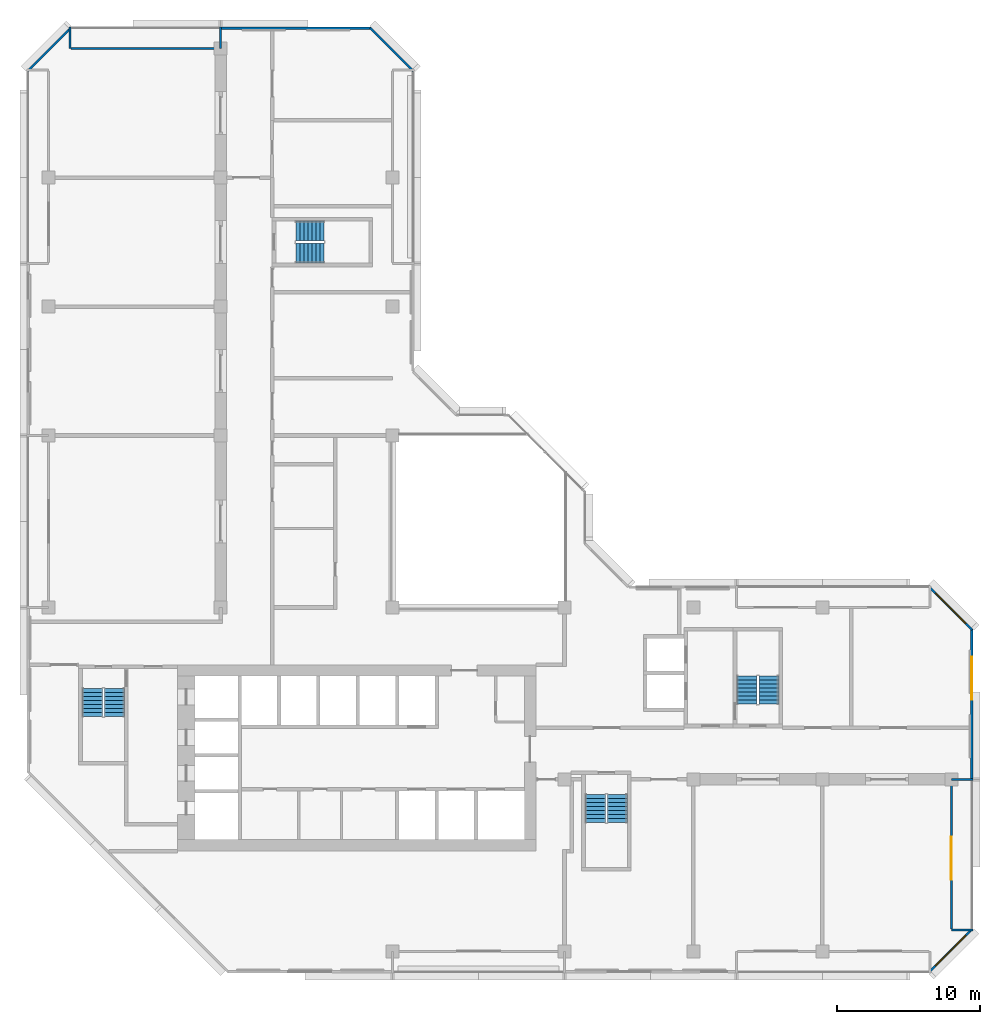
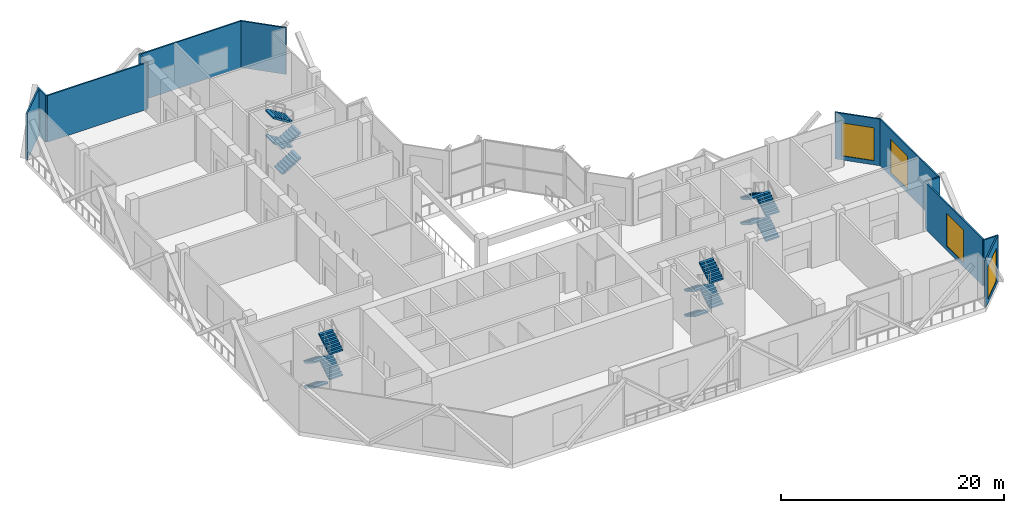
# One storey, part 8 of 11: 16 stair flights, 12 walls, 4 windows, 4 openings, 4 elements without a shape of their own.
"""IFC4 building model written with IfcOpenShell, lengths in metres."""

import ifcopenshell
import ifcopenshell.guid

model = None  # the IFC model being written
_history = None  # IfcOwnerHistory: only IFC2X3 demands one
_inside = {}  # id of a spatial element -> (the spatial element, [elements in it])
_under = {}  # id of a project, library or spatial element -> (it, [spatial elements below it])
_declared = {}  # id of a project -> (the project, [libraries it declares])
_typed = {}  # id of a type object -> (the type object, [elements of that type])
_made_of = {}  # id of a material, layer set ... -> (it, [elements and type objects made of it])


def new_model(schema):
    """Start an empty IFC model of exactly this schema.

    Asked for "IFC4X3", IfcOpenShell would pick the latest addendum, in which some entities
    have other attributes; the version numbers below select the first issue.
    IFC2X3 requires an IfcOwnerHistory on every rooted entity: one is made here for all.
    """
    global model, _history
    if schema == "IFC4X3":
        model = ifcopenshell.file(schema_version=(4, 3, 0, 0))
    else:
        model = ifcopenshell.file(schema=schema)
    _inside.clear()
    _under.clear()
    _declared.clear()
    _typed.clear()
    _made_of.clear()
    _history = None
    if model.schema == "IFC2X3":
        org = make("IfcOrganization", Name="unknown")
        user = make(
            "IfcPersonAndOrganization",
            ThePerson=make("IfcPerson", FamilyName="unknown"),
            TheOrganization=org,
        )
        app = make(
            "IfcApplication",
            ApplicationDeveloper=org,
            Version="unknown",
            ApplicationFullName="unknown",
            ApplicationIdentifier="unknown",
        )
        _history = make(
            "IfcOwnerHistory",
            OwningUser=user,
            OwningApplication=app,
            ChangeAction="ADDED",
            CreationDate=0,
        )
    return model


def make(cls, **values):
    """One entity of the class cls with the attributes given. An attribute that is None is left unset."""
    return model.create_entity(
        cls, **{name: value for name, value in values.items() if value is not None}
    )


def rooted(cls, **values):
    """An entity with a GlobalId (a new one), such as an element, a storey or a relation."""
    return make(cls, GlobalId=ifcopenshell.guid.new(), OwnerHistory=_history, **values)


def si_unit(unit_type, name, prefix=None):
    """IfcSIUnit, for example si_unit("LENGTHUNIT", "METRE", prefix="MILLI")."""
    return make("IfcSIUnit", UnitType=unit_type, Prefix=prefix, Name=name)


def assignment(units):
    """IfcUnitAssignment: the units of a project."""
    return None if units is None else make("IfcUnitAssignment", Units=units)


def point(xyz):
    """IfcCartesianPoint."""
    return None if xyz is None else make("IfcCartesianPoint", Coordinates=xyz)


def direction(xyz):
    """IfcDirection."""
    return None if xyz is None else make("IfcDirection", DirectionRatios=xyz)


def frame(location, z_axis=None, x_axis=None):
    """IfcAxis2Placement3D, a coordinate frame: its origin and axes. An axis left out is left unset."""
    return make(
        "IfcAxis2Placement3D",
        Location=point(location),
        Axis=direction(z_axis),
        RefDirection=direction(x_axis),
    )


def frame_2d(location, x_axis=None):
    """IfcAxis2Placement2D, a coordinate frame in the plane: its origin and x axis."""
    return make(
        "IfcAxis2Placement2D", Location=point(location), RefDirection=direction(x_axis)
    )


def origin():
    """The frame at (0, 0, 0) with its axes left unset."""
    return frame((0.0, 0.0, 0.0))


def place(relative_to, where):
    """IfcLocalPlacement: puts the frame where relative to a parent placement (None: the world)."""
    return make(
        "IfcLocalPlacement", PlacementRelTo=relative_to, RelativePlacement=where
    )


def context(
    kind, dimensions, precision=None, world=None, true_north=None, identifier=None
):
    """IfcGeometricRepresentationContext, for example the 3D "Model" context."""
    return make(
        "IfcGeometricRepresentationContext",
        ContextIdentifier=identifier,
        ContextType=kind,
        CoordinateSpaceDimension=dimensions,
        Precision=precision,
        WorldCoordinateSystem=world,
        TrueNorth=true_north,
    )


def subcontext(parent, identifier, kind, view, scale=None):
    """IfcGeometricRepresentationSubContext, for example "Body" below "Model"."""
    return make(
        "IfcGeometricRepresentationSubContext",
        ContextIdentifier=identifier,
        ContextType=kind,
        ParentContext=parent,
        TargetScale=scale,
        TargetView=view,
    )


def project(units=None, contexts=None):
    """IfcProject with its units and contexts."""
    return rooted(
        "IfcProject",
        Name="project",
        RepresentationContexts=contexts,
        UnitsInContext=assignment(units),
    )


def spatial(cls, under=None, at=None, **own):
    """A site, building, storey or space (cls), placed at a placement, below another one or the project."""
    s = rooted(cls, ObjectPlacement=at, **own)
    if under is not None:
        _under.setdefault(under.id(), (under, []))[1].append(s)
    return s


def polyline(points):
    """IfcPolyline through the points."""
    return make("IfcPolyline", Points=[point(p) for p in points])


def profile(cls, at=None, kind="AREA", **sizes):
    """A parametric profile (cls). Its sizes go by their IFC names, for example OverallWidth=200.0."""
    return make(cls, ProfileType=kind, Position=at, **sizes)


def rectangle(**sizes):
    """IfcRectangleProfileDef."""
    return profile("IfcRectangleProfileDef", **sizes)


def outline(outer, holes=None, kind="AREA"):
    """IfcArbitraryClosedProfileDef: a profile drawn as a closed curve; with holes, ...WithVoids."""
    if holes is None:
        return make("IfcArbitraryClosedProfileDef", ProfileType=kind, OuterCurve=outer)
    return make(
        "IfcArbitraryProfileDefWithVoids",
        ProfileType=kind,
        OuterCurve=outer,
        InnerCurves=holes,
    )


def extrude(swept, where, along, depth):
    """IfcExtrudedAreaSolid: the profile swept, set in the frame where, extruded along a direction by depth."""
    return make(
        "IfcExtrudedAreaSolid",
        SweptArea=swept,
        Position=where,
        ExtrudedDirection=direction(along),
        Depth=depth,
    )


def shape(context_of_items, identifier, shape_type, items):
    """IfcShapeRepresentation: the items that make up one representation, for example the "Body"."""
    return make(
        "IfcShapeRepresentation",
        ContextOfItems=context_of_items,
        RepresentationIdentifier=identifier,
        RepresentationType=shape_type,
        Items=items,
    )


def material(Name=None, Category=None):
    """IfcMaterial."""
    return make("IfcMaterial", Name=Name, Category=Category)


def layer(
    of_material, thickness, ventilated=None, Name=None, Category=None, Priority=None
):
    """IfcMaterialLayer: one layer of a wall or slab, of a material (None: an air gap)."""
    return make(
        "IfcMaterialLayer",
        Material=of_material,
        LayerThickness=thickness,
        IsVentilated=ventilated,
        Name=Name,
        Category=Category,
        Priority=Priority,
    )


def layer_set(layers, Name=None):
    """IfcMaterialLayerSet."""
    return make("IfcMaterialLayerSet", MaterialLayers=layers, LayerSetName=Name)


def made_of(thing, what):
    """Note that an element or type object is made of a material, layer set ...; save() writes the relation."""
    if what is not None:
        _made_of.setdefault(what.id(), (what, []))[1].append(thing)
    return thing


def type_object(cls, material=None, **own):
    """A type object (cls), such as IfcWallType, which elements share."""
    return made_of(rooted(cls, **own), material)


def element(
    cls,
    number,
    at=None,
    inside=None,
    cuts=None,
    type_object=None,
    material=None,
    context=None,
    identifier="Body",
    shape_type=None,
    held_by="IfcProductDefinitionShape",
    body=None,
    shapes=None,
    **own,
):
    """One element of the class cls, such as IfcWall. Its Tag is "e" and its number.

    at: its placement. inside: the storey or other place that contains it. cuts: it is an
    opening in that element (IfcRelVoidsElement). A single representation is given by context,
    identifier, shape_type and body (its items); several are given by shapes. held_by: the class
    of the entity that holds the representations. save() writes the other relations.
    """
    e = rooted(cls, Tag="e%d" % number, ObjectPlacement=at, **own)
    if body is not None:
        shapes = [shape(context, identifier, shape_type, body)]
    if shapes is not None:
        e.Representation = make(held_by, Representations=shapes)
    if inside is not None:
        _inside.setdefault(inside.id(), (inside, []))[1].append(e)
    if cuts is not None:
        rooted(
            "IfcRelVoidsElement", RelatingBuildingElement=cuts, RelatedOpeningElement=e
        )
    if type_object is not None:
        _typed.setdefault(type_object.id(), (type_object, []))[1].append(e)
    return made_of(e, material)


def fill(opening, filler):
    """IfcRelFillsElement: the door or window that sits in an opening."""
    return rooted(
        "IfcRelFillsElement",
        RelatingOpeningElement=opening,
        RelatedBuildingElement=filler,
    )


def aggregate(whole, parts):
    """IfcRelAggregates: a whole, such as a stair, and the parts it consists of."""
    return rooted("IfcRelAggregates", RelatingObject=whole, RelatedObjects=parts)


def save(model, path):
    """Write the relations noted so far, then the file.

    IfcRelAggregates (storeys below a building ...), IfcRelContainedInSpatialStructure (elements
    in a storey), IfcRelDefinesByType, IfcRelAssociatesMaterial and IfcRelDeclares: one each for
    every whole, place, type object, material and project.
    """
    for whole, parts in _under.values():
        aggregate(whole, parts)
    for where, things in _inside.values():
        rooted(
            "IfcRelContainedInSpatialStructure",
            RelatedElements=things,
            RelatingStructure=where,
        )
    for kind, things in _typed.values():
        rooted("IfcRelDefinesByType", RelatedObjects=things, RelatingType=kind)
    for what, things in _made_of.values():
        rooted("IfcRelAssociatesMaterial", RelatedObjects=things, RelatingMaterial=what)
    for by, libraries in _declared.values():
        rooted("IfcRelDeclares", RelatingContext=by, RelatedDefinitions=libraries)
    model.write(path)


model = new_model("IFC4")

# Units and contexts
model_context = context("Model", 3, precision=1e-05, world=origin(), true_north=direction((0.0, 1.0)))
body_context = subcontext(model_context, "Body", "Model", "MODEL_VIEW")
ifc_project = project(units=[si_unit("LENGTHUNIT", "METRE"), si_unit("AREAUNIT", "SQUARE_METRE"), si_unit("VOLUMEUNIT", "CUBIC_METRE"), si_unit("PLANEANGLEUNIT", "RADIAN"), si_unit("MASSUNIT", "GRAM", prefix="KILO")], contexts=[model_context])

# Site, building, storey
site_placement = place(None, origin())
site = spatial("IfcSite", under=ifc_project, at=site_placement, CompositionType="ELEMENT")
building_placement = place(site_placement, origin())
building = spatial("IfcBuilding", under=site, at=building_placement, Name="Chenar Terraces", CompositionType="ELEMENT")
storey_placement = place(building_placement, frame((0.0, 0.0, 206.14990234375)))
storey = spatial("IfcBuildingStorey", under=building, at=storey_placement, Name="L48", CompositionType="ELEMENT", Elevation=206.14990234375)

# Wall
ifc_material_1 = material(Name="Aluminium framed glazing", Category="aluminium")
ifc_layer_1 = layer(ifc_material_1, 0.14990234375)
ifc_layer_set_1 = layer_set([ifc_layer_1], Name="Aluminium framed glazing")
wall_type_1 = type_object("IfcWallType", Name="Glazed flush facade wall 150", PredefinedType="SOLIDWALL", material=ifc_layer_set_1)
wall_1_placement = place(storey_placement, frame((22.5, 64.425048828125, 0.0), z_axis=(0.0, 0.0, 1.0), x_axis=(-1.0, 0.0, 0.0)))
element("IfcWall", 1, at=wall_1_placement, inside=storey, type_object=wall_type_1, Name="Glazed flush facade wall", PredefinedType="SOLIDWALL", context=body_context, shape_type="SweptSolid", body=[
    extrude(rectangle(XDim=10.425048828125, YDim=0.14990234375, at=frame_2d((5.21240234375, 0.0))), origin(), (0.0, 0.0, 1.0), 5.10009765625),
])

# Wall, opening, window
wall_2_placement = place(storey_placement, frame((64.425048828125, 12.074951171875, 0.0), z_axis=(0.0, 0.0, 1.0), x_axis=(0.0, 1.0, 0.0)))
wall_2 = element("IfcWall", 2, at=wall_2_placement, inside=storey, type_object=wall_type_1, Name="Glazed flush facade wall", PredefinedType="SOLIDWALL", context=body_context, shape_type="SweptSolid", body=[
    extrude(rectangle(XDim=10.425048828125, YDim=0.14990234375, at=frame_2d((5.21240234375, 0.0))), origin(), (0.0, 0.0, 1.0), 5.10009765625),
])
opening_1_placement = place(wall_2_placement, frame((5.47509765625, 0.0, 0.449951171875)))
opening_1 = element("IfcOpeningElement", 3, at=opening_1_placement, cuts=wall_2, Name="Opening W300x360", PredefinedType="OPENING", context=body_context, shape_type="SweptSolid", body=[
    extrude(rectangle(XDim=3.0, YDim=3.60009765625, at=frame_2d((1.5, 1.800048828125))), frame((0.0, 0.0849609375, 0.0), z_axis=(0.0, -1.0, 0.0), x_axis=(1.0, 0.0, 0.0)), (0.0, 0.0, 1.0), 0.169921875),
])
ifc_material_2 = material(Name="Low emissivity double glazing, aluminium frame", Category="aluminium")
window_type = type_object("IfcWindowType", Name="Fixed light 3000 x 3600", PartitioningType="SINGLE_PANEL", PredefinedType="WINDOW", material=ifc_material_2)
window_1_placement = place(opening_1_placement, origin())
window_1 = element("IfcWindow", 4, at=window_1_placement, inside=storey, type_object=window_type, Name="Window", OverallHeight=3.60009765625, OverallWidth=3.0, PartitioningType="SINGLE_PANEL", PredefinedType="WINDOW", context=body_context, shape_type="SweptSolid", body=[
    extrude(rectangle(XDim=3.0, YDim=3.60009765625, at=frame_2d((1.5, 1.800048828125))), frame((0.0, 0.030029296875, 0.0), z_axis=(0.0, -1.0, 0.0), x_axis=(1.0, 0.0, 0.0)), (0.0, 0.0, 1.0), 0.06005859375),
])
fill(opening_1, window_1)

# Wall
ifc_material_3 = material(Name="Aluminium framed glazing", Category="aluminium")
ifc_layer_2 = layer(ifc_material_3, 0.14990234375)
ifc_layer_set_2 = layer_set([ifc_layer_2], Name="Aluminium framed glazing")
wall_type_2 = type_object("IfcWallType", Name="Glazed loggia back wall 150", PredefinedType="SOLIDWALL", material=ifc_layer_set_2)
wall_3_placement = place(storey_placement, frame((11.925048828125, 63.0, 0.0), z_axis=(0.0, 0.0, 1.0), x_axis=(-1.0, 0.0, 0.0)))
element("IfcWall", 5, at=wall_3_placement, inside=storey, type_object=wall_type_2, Name="Glazed loggia back wall", PredefinedType="SOLIDWALL", context=body_context, shape_type="SweptSolid", body=[
    extrude(rectangle(XDim=10.35009765625, YDim=0.14990234375, at=frame_2d((5.175048828125, 0.0))), origin(), (0.0, 0.0, 1.0), 5.10009765625),
])

# Wall, opening, window
wall_4_placement = place(storey_placement, frame((63.0, 1.574951171875, 0.0), z_axis=(0.0, 0.0, 1.0), x_axis=(0.0, 1.0, 0.0)))
wall_4 = element("IfcWall", 6, at=wall_4_placement, inside=storey, type_object=wall_type_2, Name="Glazed loggia back wall", PredefinedType="SOLIDWALL", context=body_context, shape_type="SweptSolid", body=[
    extrude(rectangle(XDim=10.35009765625, YDim=0.14990234375, at=frame_2d((5.175048828125, 0.0))), origin(), (0.0, 0.0, 1.0), 5.10009765625),
])
opening_2_placement = place(wall_4_placement, frame((3.4375, 0.0, 0.449951171875)))
opening_2 = element("IfcOpeningElement", 7, at=opening_2_placement, cuts=wall_4, Name="Opening W300x360", PredefinedType="OPENING", context=body_context, shape_type="SweptSolid", body=[
    extrude(rectangle(XDim=3.0, YDim=3.60009765625, at=frame_2d((1.5, 1.800048828125))), frame((0.0, 0.0849609375, 0.0), z_axis=(0.0, -1.0, 0.0), x_axis=(1.0, 0.0, 0.0)), (0.0, 0.0, 1.0), 0.169921875),
])
window_2_placement = place(opening_2_placement, origin())
window_2 = element("IfcWindow", 8, at=window_2_placement, inside=storey, type_object=window_type, Name="Window", OverallHeight=3.60009765625, OverallWidth=3.0, PartitioningType="SINGLE_PANEL", PredefinedType="WINDOW", context=body_context, shape_type="SweptSolid", body=[
    extrude(rectangle(XDim=3.0, YDim=3.60009765625, at=frame_2d((1.5, 1.800048828125))), frame((0.0, 0.030029296875, 0.0), z_axis=(0.0, -1.0, 0.0), x_axis=(1.0, 0.0, 0.0)), (0.0, 0.0, 1.0), 0.06005859375),
])
fill(opening_2, window_2)

# Walls
ifc_material_4 = material(Name="Terracotta cladding on insulated backing", Category="masonry")
ifc_layer_3 = layer(ifc_material_4, 0.14990234375)
ifc_layer_set_3 = layer_set([ifc_layer_3], Name="Terracotta cladding on insulated backing")
wall_type_3 = type_object("IfcWallType", Name="Loggia return wall 150", PredefinedType="SOLIDWALL", material=ifc_layer_set_3)
for number, where, z_axis, x_axis, name in (
    (9, (12.0, 64.5, 0.0), (0.0, 0.0, 1.0), (0.0, -1.0, 0.0), "Loggia return wall"),
    (10, (1.5, 64.5, 0.0), (0.0, 0.0, 1.0), (0.0, -1.0, 0.0), "Loggia return wall"),
    (11, (64.5, 1.5, 0.0), (0.0, 0.0, 1.0), (-1.0, 0.0, 0.0), "Loggia return wall"),
    (12, (64.5, 12.0, 0.0), (0.0, 0.0, 1.0), (-1.0, 0.0, 0.0), "Loggia return wall"),
):
    element("IfcWall", number, at=place(storey_placement, frame(where, z_axis=z_axis, x_axis=x_axis)), inside=storey, type_object=wall_type_3, Name=name, PredefinedType="SOLIDWALL", context=body_context, shape_type="SweptSolid", body=[
        extrude(rectangle(XDim=1.5, YDim=0.14990234375, at=frame_2d((0.75, 0.0))), origin(), (0.0, 0.0, 1.0), 5.10009765625),
    ])
ifc_material_5 = material(Name="Terracotta cladding on insulated backing", Category="masonry")
ifc_layer_4 = layer(ifc_material_5, 0.14990234375)
ifc_layer_set_4 = layer_set([ifc_layer_4], Name="Terracotta cladding on insulated backing")
wall_type_4 = type_object("IfcWallType", Name="Terracotta rainscreen wall 150", PredefinedType="SOLIDWALL", material=ifc_layer_set_4)
for number, where, z_axis, x_axis, name in (
    (13, (25.447021484375, 61.447021484375, 0.0), (0.0, 0.0, 1.0), (-0.707106781187, 0.707106781187, 0.0), "Terracotta rainscreen wall"),
    (14, (1.552978515625, 64.447021484375, 0.0), (0.0, 0.0, 1.0), (-0.707106781187, -0.707106781187, 0.0), "Terracotta rainscreen wall"),
):
    element("IfcWall", number, at=place(storey_placement, frame(where, z_axis=z_axis, x_axis=x_axis)), inside=storey, type_object=wall_type_4, Name=name, PredefinedType="SOLIDWALL", context=body_context, shape_type="SweptSolid", body=[
        extrude(rectangle(XDim=4.24267578125, YDim=0.14990234375, at=frame_2d((2.121337890625, 0.0))), origin(), (0.0, 0.0, 1.0), 5.10009765625),
    ])

# Wall, opening, window
wall_5_placement = place(storey_placement, frame((61.447021484375, -1.447021484375, 0.0), z_axis=(0.0, 0.0, 1.0), x_axis=(0.707106781187, 0.707106781187, 0.0)))
wall_5 = element("IfcWall", 15, at=wall_5_placement, inside=storey, type_object=wall_type_4, Name="Terracotta rainscreen wall", PredefinedType="SOLIDWALL", context=body_context, shape_type="SweptSolid", body=[
    extrude(rectangle(XDim=4.24267578125, YDim=0.14990234375, at=frame_2d((2.121337890625, 0.0))), origin(), (0.0, 0.0, 1.0), 5.10009765625),
])
opening_3_placement = place(wall_5_placement, frame((0.621337890625, 0.0, 0.449951171875)))
opening_3 = element("IfcOpeningElement", 16, at=opening_3_placement, cuts=wall_5, Name="Opening W300x360", PredefinedType="OPENING", context=body_context, shape_type="SweptSolid", body=[
    extrude(rectangle(XDim=3.0, YDim=3.60009765625, at=frame_2d((1.5, 1.800048828125))), frame((0.0, 0.0849609375, 0.0), z_axis=(0.0, -1.0, 0.0), x_axis=(1.0, 0.0, 0.0)), (0.0, 0.0, 1.0), 0.169921875),
])
window_3_placement = place(opening_3_placement, origin())
window_3 = element("IfcWindow", 17, at=window_3_placement, inside=storey, type_object=window_type, Name="Window", OverallHeight=3.60009765625, OverallWidth=3.0, PartitioningType="SINGLE_PANEL", PredefinedType="WINDOW", context=body_context, shape_type="SweptSolid", body=[
    extrude(rectangle(XDim=3.0, YDim=3.60009765625, at=frame_2d((1.5, 1.800048828125))), frame((0.0, 0.030029296875, 0.0), z_axis=(0.0, -1.0, 0.0), x_axis=(1.0, 0.0, 0.0)), (0.0, 0.0, 1.0), 0.06005859375),
])
fill(opening_3, window_3)

wall_6_placement = place(storey_placement, frame((64.447021484375, 22.447021484375, 0.0), z_axis=(0.0, 0.0, 1.0), x_axis=(-0.707106781187, 0.707106781187, 0.0)))
wall_6 = element("IfcWall", 18, at=wall_6_placement, inside=storey, type_object=wall_type_4, Name="Terracotta rainscreen wall", PredefinedType="SOLIDWALL", context=body_context, shape_type="SweptSolid", body=[
    extrude(rectangle(XDim=4.24267578125, YDim=0.14990234375, at=frame_2d((2.121337890625, 0.0))), origin(), (0.0, 0.0, 1.0), 5.10009765625),
])
opening_4_placement = place(wall_6_placement, frame((0.621337890625, 0.0, 0.449951171875)))
opening_4 = element("IfcOpeningElement", 19, at=opening_4_placement, cuts=wall_6, Name="Opening W300x360", PredefinedType="OPENING", context=body_context, shape_type="SweptSolid", body=[
    extrude(rectangle(XDim=3.0, YDim=3.60009765625, at=frame_2d((1.5, 1.800048828125))), frame((0.0, 0.0849609375, 0.0), z_axis=(0.0, -1.0, 0.0), x_axis=(1.0, 0.0, 0.0)), (0.0, 0.0, 1.0), 0.169921875),
])
window_4_placement = place(opening_4_placement, origin())
window_4 = element("IfcWindow", 20, at=window_4_placement, inside=storey, type_object=window_type, Name="Window", OverallHeight=3.60009765625, OverallWidth=3.0, PartitioningType="SINGLE_PANEL", PredefinedType="WINDOW", context=body_context, shape_type="SweptSolid", body=[
    extrude(rectangle(XDim=3.0, YDim=3.60009765625, at=frame_2d((1.5, 1.800048828125))), frame((0.0, 0.030029296875, 0.0), z_axis=(0.0, -1.0, 0.0), x_axis=(1.0, 0.0, 0.0)), (0.0, 0.0, 1.0), 0.06005859375),
])
fill(opening_4, window_4)

# Stair, stair flights
ifc_material_6 = material(Name="Reinforced concrete C40/50", Category="concrete")
stair_type = type_object("IfcStairType", Name="Core stair 1400 half-turn", PredefinedType="HALF_TURN_STAIR", material=ifc_material_6)
placement = place(storey_placement, origin())
stair_1 = element("IfcStair", 21, at=placement, inside=storey, type_object=stair_type, Name="L48 Stair 1", PredefinedType="HALF_TURN_STAIR")
ifc_material_7 = material(Name="Reinforced concrete C40/50", Category="concrete")
stair_flight_type = type_object("IfcStairFlightType", Name="Core stair flight 1400", PredefinedType="STRAIGHT", material=ifc_material_7)
stair_flight_1_placement = place(storey_placement, frame((3.050048828125, 18.35009765625, 0.0), z_axis=(0.0, 0.0, 1.0), x_axis=(0.0, -1.0, 0.0)))
stair_flight_1 = element("IfcStairFlight", 22, at=stair_flight_1_placement, type_object=stair_flight_type, Name="ST1 flight 1", NumberOfRisers=8, NumberOfTreads=7, PredefinedType="STRAIGHT", RiserHeight=0.171875, TreadLength=0.28, context=body_context, shape_type="SweptSolid", body=[
    extrude(outline(polyline([(-0.0029296875, 0.0), (-0.0029296875, 0.171875), (0.0, 0.171875), (0.280029296875, 0.171875), (0.280029296875, 0.34375), (0.56005859375, 0.34375), (0.56005859375, 0.515625), (0.840087890625, 0.515625), (0.840087890625, 0.6875), (1.1201171875, 0.6875), (1.1201171875, 0.859375), (1.39990234375, 0.859375), (1.39990234375, 1.03125), (1.679931640625, 1.03125), (1.679931640625, 1.203125), (1.9599609375, 1.203125), (1.962890625, 1.203125), (1.962890625, 1.02734375), (1.9599609375, 1.02734375), (0.28662109375, 0.0), (-0.0029296875, 0.0)])), frame((0.0, 0.699951171875, 0.0), z_axis=(0.0, -1.0, 0.0), x_axis=(1.0, 0.0, 0.0)), (0.0, 0.0, 1.0), 1.39990234375),
])
stair_flight_2_placement = place(storey_placement, frame((4.60009765625, 16.389892578125, 1.375), z_axis=(0.0, 0.0, 1.0), x_axis=(0.0, 1.0, 0.0)))
stair_flight_2 = element("IfcStairFlight", 23, at=stair_flight_2_placement, type_object=stair_flight_type, Name="ST1 flight 2", NumberOfRisers=8, NumberOfTreads=7, PredefinedType="STRAIGHT", RiserHeight=0.171875, TreadLength=0.28, context=body_context, shape_type="SweptSolid", body=[
    extrude(outline(polyline([(-0.0029296875, 0.0), (-0.0029296875, 0.171875), (0.0, 0.171875), (0.280029296875, 0.171875), (0.280029296875, 0.34375), (0.56005859375, 0.34375), (0.56005859375, 0.515625), (0.840087890625, 0.515625), (0.840087890625, 0.6875), (1.1201171875, 0.6875), (1.1201171875, 0.859375), (1.39990234375, 0.859375), (1.39990234375, 1.03125), (1.679931640625, 1.03125), (1.679931640625, 1.203125), (1.9599609375, 1.203125), (1.962890625, 1.203125), (1.962890625, 1.02734375), (1.9599609375, 1.02734375), (0.28662109375, 0.0), (-0.0029296875, 0.0)])), frame((0.0, 0.699951171875, 0.0), z_axis=(0.0, -1.0, 0.0), x_axis=(1.0, 0.0, 0.0)), (0.0, 0.0, 1.0), 1.39990234375),
])
stair_flight_3_placement = place(storey_placement, frame((3.050048828125, 18.35009765625, 2.75), z_axis=(0.0, 0.0, 1.0), x_axis=(0.0, -1.0, 0.0)))
stair_flight_3 = element("IfcStairFlight", 24, at=stair_flight_3_placement, type_object=stair_flight_type, Name="ST1 flight 3", NumberOfRisers=8, NumberOfTreads=7, PredefinedType="STRAIGHT", RiserHeight=0.171875, TreadLength=0.28, context=body_context, shape_type="SweptSolid", body=[
    extrude(outline(polyline([(-0.0029296875, 0.0), (-0.0029296875, 0.171875), (0.0, 0.171875), (0.280029296875, 0.171875), (0.280029296875, 0.34375), (0.56005859375, 0.34375), (0.56005859375, 0.515625), (0.840087890625, 0.515625), (0.840087890625, 0.6875), (1.1201171875, 0.6875), (1.1201171875, 0.859375), (1.39990234375, 0.859375), (1.39990234375, 1.03125), (1.679931640625, 1.03125), (1.679931640625, 1.203125), (1.9599609375, 1.203125), (1.962890625, 1.203125), (1.962890625, 1.02734375), (1.9599609375, 1.02734375), (0.28662109375, 0.0), (-0.0029296875, 0.0)])), frame((0.0, 0.699951171875, 0.0), z_axis=(0.0, -1.0, 0.0), x_axis=(1.0, 0.0, 0.0)), (0.0, 0.0, 1.0), 1.39990234375),
])
stair_flight_4_placement = place(storey_placement, frame((4.60009765625, 16.389892578125, 4.125), z_axis=(0.0, 0.0, 1.0), x_axis=(0.0, 1.0, 0.0)))
stair_flight_4 = element("IfcStairFlight", 25, at=stair_flight_4_placement, type_object=stair_flight_type, Name="ST1 flight 4", NumberOfRisers=8, NumberOfTreads=7, PredefinedType="STRAIGHT", RiserHeight=0.171875, TreadLength=0.28, context=body_context, shape_type="SweptSolid", body=[
    extrude(outline(polyline([(-0.0029296875, 0.0), (-0.0029296875, 0.171875), (0.0, 0.171875), (0.280029296875, 0.171875), (0.280029296875, 0.34375), (0.56005859375, 0.34375), (0.56005859375, 0.515625), (0.840087890625, 0.515625), (0.840087890625, 0.6875), (1.1201171875, 0.6875), (1.1201171875, 0.859375), (1.39990234375, 0.859375), (1.39990234375, 1.03125), (1.679931640625, 1.03125), (1.679931640625, 1.203125), (1.9599609375, 1.203125), (1.962890625, 1.203125), (1.962890625, 1.02734375), (1.9599609375, 1.02734375), (0.28662109375, 0.0), (-0.0029296875, 0.0)])), frame((0.0, 0.699951171875, 0.0), z_axis=(0.0, -1.0, 0.0), x_axis=(1.0, 0.0, 0.0)), (0.0, 0.0, 1.0), 1.39990234375),
])
aggregate(stair_1, [stair_flight_1, stair_flight_2, stair_flight_3, stair_flight_4])

stair_2 = element("IfcStair", 26, at=placement, inside=storey, type_object=stair_type, Name="L48 Stair 2", PredefinedType="HALF_TURN_STAIR")
stair_flight_5_placement = place(storey_placement, frame((38.14990234375, 10.949951171875, 0.0), z_axis=(0.0, 0.0, 1.0), x_axis=(0.0, -1.0, 0.0)))
stair_flight_5 = element("IfcStairFlight", 27, at=stair_flight_5_placement, type_object=stair_flight_type, Name="ST2 flight 1", NumberOfRisers=8, NumberOfTreads=7, PredefinedType="STRAIGHT", RiserHeight=0.171875, TreadLength=0.28, context=body_context, shape_type="SweptSolid", body=[
    extrude(outline(polyline([(-0.0029296875, 0.0), (-0.0029296875, 0.171875), (0.0, 0.171875), (0.280029296875, 0.171875), (0.280029296875, 0.34375), (0.56005859375, 0.34375), (0.56005859375, 0.515625), (0.840087890625, 0.515625), (0.840087890625, 0.6875), (1.1201171875, 0.6875), (1.1201171875, 0.859375), (1.39990234375, 0.859375), (1.39990234375, 1.03125), (1.679931640625, 1.03125), (1.679931640625, 1.203125), (1.9599609375, 1.203125), (1.962890625, 1.203125), (1.962890625, 1.02734375), (1.9599609375, 1.02734375), (0.28662109375, 0.0), (-0.0029296875, 0.0)])), frame((0.0, 0.699951171875, 0.0), z_axis=(0.0, -1.0, 0.0), x_axis=(1.0, 0.0, 0.0)), (0.0, 0.0, 1.0), 1.39990234375),
])
stair_flight_6_placement = place(storey_placement, frame((39.699951171875, 8.989990234375, 1.375), z_axis=(0.0, 0.0, 1.0), x_axis=(0.0, 1.0, 0.0)))
stair_flight_6 = element("IfcStairFlight", 28, at=stair_flight_6_placement, type_object=stair_flight_type, Name="ST2 flight 2", NumberOfRisers=8, NumberOfTreads=7, PredefinedType="STRAIGHT", RiserHeight=0.171875, TreadLength=0.28, context=body_context, shape_type="SweptSolid", body=[
    extrude(outline(polyline([(-0.0029296875, 0.0), (-0.0029296875, 0.171875), (0.0, 0.171875), (0.280029296875, 0.171875), (0.280029296875, 0.34375), (0.56005859375, 0.34375), (0.56005859375, 0.515625), (0.840087890625, 0.515625), (0.840087890625, 0.6875), (1.1201171875, 0.6875), (1.1201171875, 0.859375), (1.39990234375, 0.859375), (1.39990234375, 1.03125), (1.679931640625, 1.03125), (1.679931640625, 1.203125), (1.9599609375, 1.203125), (1.962890625, 1.203125), (1.962890625, 1.02734375), (1.9599609375, 1.02734375), (0.28662109375, 0.0), (-0.0029296875, 0.0)])), frame((0.0, 0.699951171875, 0.0), z_axis=(0.0, -1.0, 0.0), x_axis=(1.0, 0.0, 0.0)), (0.0, 0.0, 1.0), 1.39990234375),
])
stair_flight_7_placement = place(storey_placement, frame((38.14990234375, 10.949951171875, 2.75), z_axis=(0.0, 0.0, 1.0), x_axis=(0.0, -1.0, 0.0)))
stair_flight_7 = element("IfcStairFlight", 29, at=stair_flight_7_placement, type_object=stair_flight_type, Name="ST2 flight 3", NumberOfRisers=8, NumberOfTreads=7, PredefinedType="STRAIGHT", RiserHeight=0.171875, TreadLength=0.28, context=body_context, shape_type="SweptSolid", body=[
    extrude(outline(polyline([(-0.0029296875, 0.0), (-0.0029296875, 0.171875), (0.0, 0.171875), (0.280029296875, 0.171875), (0.280029296875, 0.34375), (0.56005859375, 0.34375), (0.56005859375, 0.515625), (0.840087890625, 0.515625), (0.840087890625, 0.6875), (1.1201171875, 0.6875), (1.1201171875, 0.859375), (1.39990234375, 0.859375), (1.39990234375, 1.03125), (1.679931640625, 1.03125), (1.679931640625, 1.203125), (1.9599609375, 1.203125), (1.962890625, 1.203125), (1.962890625, 1.02734375), (1.9599609375, 1.02734375), (0.28662109375, 0.0), (-0.0029296875, 0.0)])), frame((0.0, 0.699951171875, 0.0), z_axis=(0.0, -1.0, 0.0), x_axis=(1.0, 0.0, 0.0)), (0.0, 0.0, 1.0), 1.39990234375),
])
stair_flight_8_placement = place(storey_placement, frame((39.699951171875, 8.989990234375, 4.125), z_axis=(0.0, 0.0, 1.0), x_axis=(0.0, 1.0, 0.0)))
stair_flight_8 = element("IfcStairFlight", 30, at=stair_flight_8_placement, type_object=stair_flight_type, Name="ST2 flight 4", NumberOfRisers=8, NumberOfTreads=7, PredefinedType="STRAIGHT", RiserHeight=0.171875, TreadLength=0.28, context=body_context, shape_type="SweptSolid", body=[
    extrude(outline(polyline([(-0.0029296875, 0.0), (-0.0029296875, 0.171875), (0.0, 0.171875), (0.280029296875, 0.171875), (0.280029296875, 0.34375), (0.56005859375, 0.34375), (0.56005859375, 0.515625), (0.840087890625, 0.515625), (0.840087890625, 0.6875), (1.1201171875, 0.6875), (1.1201171875, 0.859375), (1.39990234375, 0.859375), (1.39990234375, 1.03125), (1.679931640625, 1.03125), (1.679931640625, 1.203125), (1.9599609375, 1.203125), (1.962890625, 1.203125), (1.962890625, 1.02734375), (1.9599609375, 1.02734375), (0.28662109375, 0.0), (-0.0029296875, 0.0)])), frame((0.0, 0.699951171875, 0.0), z_axis=(0.0, -1.0, 0.0), x_axis=(1.0, 0.0, 0.0)), (0.0, 0.0, 1.0), 1.39990234375),
])
aggregate(stair_2, [stair_flight_5, stair_flight_6, stair_flight_7, stair_flight_8])

stair_3 = element("IfcStair", 31, at=placement, inside=storey, type_object=stair_type, Name="L48 Stair 3", PredefinedType="HALF_TURN_STAIR")
stair_flight_9_placement = place(storey_placement, frame((50.27490234375, 17.25, 0.0), z_axis=(0.0, 0.0, 1.0), x_axis=(0.0, 1.0, 0.0)))
stair_flight_9 = element("IfcStairFlight", 32, at=stair_flight_9_placement, type_object=stair_flight_type, Name="ST3 flight 1", NumberOfRisers=8, NumberOfTreads=7, PredefinedType="STRAIGHT", RiserHeight=0.171875, TreadLength=0.28, context=body_context, shape_type="SweptSolid", body=[
    extrude(outline(polyline([(-0.0029296875, 0.0), (-0.0029296875, 0.171875), (0.0, 0.171875), (0.280029296875, 0.171875), (0.280029296875, 0.34375), (0.56005859375, 0.34375), (0.56005859375, 0.515625), (0.840087890625, 0.515625), (0.840087890625, 0.6875), (1.1201171875, 0.6875), (1.1201171875, 0.859375), (1.39990234375, 0.859375), (1.39990234375, 1.03125), (1.679931640625, 1.03125), (1.679931640625, 1.203125), (1.9599609375, 1.203125), (1.962890625, 1.203125), (1.962890625, 1.02734375), (1.9599609375, 1.02734375), (0.28662109375, 0.0), (-0.0029296875, 0.0)])), frame((0.0, 0.699951171875, 0.0), z_axis=(0.0, -1.0, 0.0), x_axis=(1.0, 0.0, 0.0)), (0.0, 0.0, 1.0), 1.39990234375),
])
stair_flight_10_placement = place(storey_placement, frame((48.72509765625, 19.2099609375, 1.375), z_axis=(0.0, 0.0, 1.0), x_axis=(0.0, -1.0, 0.0)))
stair_flight_10 = element("IfcStairFlight", 33, at=stair_flight_10_placement, type_object=stair_flight_type, Name="ST3 flight 2", NumberOfRisers=8, NumberOfTreads=7, PredefinedType="STRAIGHT", RiserHeight=0.171875, TreadLength=0.28, context=body_context, shape_type="SweptSolid", body=[
    extrude(outline(polyline([(-0.0029296875, 0.0), (-0.0029296875, 0.171875), (0.0, 0.171875), (0.280029296875, 0.171875), (0.280029296875, 0.34375), (0.56005859375, 0.34375), (0.56005859375, 0.515625), (0.840087890625, 0.515625), (0.840087890625, 0.6875), (1.1201171875, 0.6875), (1.1201171875, 0.859375), (1.39990234375, 0.859375), (1.39990234375, 1.03125), (1.679931640625, 1.03125), (1.679931640625, 1.203125), (1.9599609375, 1.203125), (1.962890625, 1.203125), (1.962890625, 1.02734375), (1.9599609375, 1.02734375), (0.28662109375, 0.0), (-0.0029296875, 0.0)])), frame((0.0, 0.699951171875, 0.0), z_axis=(0.0, -1.0, 0.0), x_axis=(1.0, 0.0, 0.0)), (0.0, 0.0, 1.0), 1.39990234375),
])
stair_flight_11_placement = place(storey_placement, frame((50.27490234375, 17.25, 2.75), z_axis=(0.0, 0.0, 1.0), x_axis=(0.0, 1.0, 0.0)))
stair_flight_11 = element("IfcStairFlight", 34, at=stair_flight_11_placement, type_object=stair_flight_type, Name="ST3 flight 3", NumberOfRisers=8, NumberOfTreads=7, PredefinedType="STRAIGHT", RiserHeight=0.171875, TreadLength=0.28, context=body_context, shape_type="SweptSolid", body=[
    extrude(outline(polyline([(-0.0029296875, 0.0), (-0.0029296875, 0.171875), (0.0, 0.171875), (0.280029296875, 0.171875), (0.280029296875, 0.34375), (0.56005859375, 0.34375), (0.56005859375, 0.515625), (0.840087890625, 0.515625), (0.840087890625, 0.6875), (1.1201171875, 0.6875), (1.1201171875, 0.859375), (1.39990234375, 0.859375), (1.39990234375, 1.03125), (1.679931640625, 1.03125), (1.679931640625, 1.203125), (1.9599609375, 1.203125), (1.962890625, 1.203125), (1.962890625, 1.02734375), (1.9599609375, 1.02734375), (0.28662109375, 0.0), (-0.0029296875, 0.0)])), frame((0.0, 0.699951171875, 0.0), z_axis=(0.0, -1.0, 0.0), x_axis=(1.0, 0.0, 0.0)), (0.0, 0.0, 1.0), 1.39990234375),
])
stair_flight_12_placement = place(storey_placement, frame((48.72509765625, 19.2099609375, 4.125), z_axis=(0.0, 0.0, 1.0), x_axis=(0.0, -1.0, 0.0)))
stair_flight_12 = element("IfcStairFlight", 35, at=stair_flight_12_placement, type_object=stair_flight_type, Name="ST3 flight 4", NumberOfRisers=8, NumberOfTreads=7, PredefinedType="STRAIGHT", RiserHeight=0.171875, TreadLength=0.28, context=body_context, shape_type="SweptSolid", body=[
    extrude(outline(polyline([(-0.0029296875, 0.0), (-0.0029296875, 0.171875), (0.0, 0.171875), (0.280029296875, 0.171875), (0.280029296875, 0.34375), (0.56005859375, 0.34375), (0.56005859375, 0.515625), (0.840087890625, 0.515625), (0.840087890625, 0.6875), (1.1201171875, 0.6875), (1.1201171875, 0.859375), (1.39990234375, 0.859375), (1.39990234375, 1.03125), (1.679931640625, 1.03125), (1.679931640625, 1.203125), (1.9599609375, 1.203125), (1.962890625, 1.203125), (1.962890625, 1.02734375), (1.9599609375, 1.02734375), (0.28662109375, 0.0), (-0.0029296875, 0.0)])), frame((0.0, 0.699951171875, 0.0), z_axis=(0.0, -1.0, 0.0), x_axis=(1.0, 0.0, 0.0)), (0.0, 0.0, 1.0), 1.39990234375),
])
aggregate(stair_3, [stair_flight_9, stair_flight_10, stair_flight_11, stair_flight_12])

stair_4 = element("IfcStair", 36, at=placement, inside=storey, type_object=stair_type, Name="L48 Stair 4", PredefinedType="HALF_TURN_STAIR")
stair_flight_13_placement = place(storey_placement, frame((17.25, 48.72509765625, 0.0), z_axis=(0.0, 0.0, 1.0), x_axis=(1.0, 0.0, 0.0)))
stair_flight_13 = element("IfcStairFlight", 37, at=stair_flight_13_placement, type_object=stair_flight_type, Name="ST4 flight 1", NumberOfRisers=8, NumberOfTreads=7, PredefinedType="STRAIGHT", RiserHeight=0.171875, TreadLength=0.28, context=body_context, shape_type="SweptSolid", body=[
    extrude(outline(polyline([(-0.0029296875, 0.0), (-0.0029296875, 0.171875), (0.0, 0.171875), (0.280029296875, 0.171875), (0.280029296875, 0.34375), (0.56005859375, 0.34375), (0.56005859375, 0.515625), (0.840087890625, 0.515625), (0.840087890625, 0.6875), (1.1201171875, 0.6875), (1.1201171875, 0.859375), (1.39990234375, 0.859375), (1.39990234375, 1.03125), (1.679931640625, 1.03125), (1.679931640625, 1.203125), (1.9599609375, 1.203125), (1.962890625, 1.203125), (1.962890625, 1.02734375), (1.9599609375, 1.02734375), (0.28662109375, 0.0), (-0.0029296875, 0.0)])), frame((0.0, 0.699951171875, 0.0), z_axis=(0.0, -1.0, 0.0), x_axis=(1.0, 0.0, 0.0)), (0.0, 0.0, 1.0), 1.39990234375),
])
stair_flight_14_placement = place(storey_placement, frame((19.2099609375, 50.27490234375, 1.375), z_axis=(0.0, 0.0, 1.0), x_axis=(-1.0, 0.0, 0.0)))
stair_flight_14 = element("IfcStairFlight", 38, at=stair_flight_14_placement, type_object=stair_flight_type, Name="ST4 flight 2", NumberOfRisers=8, NumberOfTreads=7, PredefinedType="STRAIGHT", RiserHeight=0.171875, TreadLength=0.28, context=body_context, shape_type="SweptSolid", body=[
    extrude(outline(polyline([(-0.0029296875, 0.0), (-0.0029296875, 0.171875), (0.0, 0.171875), (0.280029296875, 0.171875), (0.280029296875, 0.34375), (0.56005859375, 0.34375), (0.56005859375, 0.515625), (0.840087890625, 0.515625), (0.840087890625, 0.6875), (1.1201171875, 0.6875), (1.1201171875, 0.859375), (1.39990234375, 0.859375), (1.39990234375, 1.03125), (1.679931640625, 1.03125), (1.679931640625, 1.203125), (1.9599609375, 1.203125), (1.962890625, 1.203125), (1.962890625, 1.02734375), (1.9599609375, 1.02734375), (0.28662109375, 0.0), (-0.0029296875, 0.0)])), frame((0.0, 0.699951171875, 0.0), z_axis=(0.0, -1.0, 0.0), x_axis=(1.0, 0.0, 0.0)), (0.0, 0.0, 1.0), 1.39990234375),
])
stair_flight_15_placement = place(storey_placement, frame((17.25, 48.72509765625, 2.75), z_axis=(0.0, 0.0, 1.0), x_axis=(1.0, 0.0, 0.0)))
stair_flight_15 = element("IfcStairFlight", 39, at=stair_flight_15_placement, type_object=stair_flight_type, Name="ST4 flight 3", NumberOfRisers=8, NumberOfTreads=7, PredefinedType="STRAIGHT", RiserHeight=0.171875, TreadLength=0.28, context=body_context, shape_type="SweptSolid", body=[
    extrude(outline(polyline([(-0.0029296875, 0.0), (-0.0029296875, 0.171875), (0.0, 0.171875), (0.280029296875, 0.171875), (0.280029296875, 0.34375), (0.56005859375, 0.34375), (0.56005859375, 0.515625), (0.840087890625, 0.515625), (0.840087890625, 0.6875), (1.1201171875, 0.6875), (1.1201171875, 0.859375), (1.39990234375, 0.859375), (1.39990234375, 1.03125), (1.679931640625, 1.03125), (1.679931640625, 1.203125), (1.9599609375, 1.203125), (1.962890625, 1.203125), (1.962890625, 1.02734375), (1.9599609375, 1.02734375), (0.28662109375, 0.0), (-0.0029296875, 0.0)])), frame((0.0, 0.699951171875, 0.0), z_axis=(0.0, -1.0, 0.0), x_axis=(1.0, 0.0, 0.0)), (0.0, 0.0, 1.0), 1.39990234375),
])
stair_flight_16_placement = place(storey_placement, frame((19.2099609375, 50.27490234375, 4.125), z_axis=(0.0, 0.0, 1.0), x_axis=(-1.0, 0.0, 0.0)))
stair_flight_16 = element("IfcStairFlight", 40, at=stair_flight_16_placement, type_object=stair_flight_type, Name="ST4 flight 4", NumberOfRisers=8, NumberOfTreads=7, PredefinedType="STRAIGHT", RiserHeight=0.171875, TreadLength=0.28, context=body_context, shape_type="SweptSolid", body=[
    extrude(outline(polyline([(-0.0029296875, 0.0), (-0.0029296875, 0.171875), (0.0, 0.171875), (0.280029296875, 0.171875), (0.280029296875, 0.34375), (0.56005859375, 0.34375), (0.56005859375, 0.515625), (0.840087890625, 0.515625), (0.840087890625, 0.6875), (1.1201171875, 0.6875), (1.1201171875, 0.859375), (1.39990234375, 0.859375), (1.39990234375, 1.03125), (1.679931640625, 1.03125), (1.679931640625, 1.203125), (1.9599609375, 1.203125), (1.962890625, 1.203125), (1.962890625, 1.02734375), (1.9599609375, 1.02734375), (0.28662109375, 0.0), (-0.0029296875, 0.0)])), frame((0.0, 0.699951171875, 0.0), z_axis=(0.0, -1.0, 0.0), x_axis=(1.0, 0.0, 0.0)), (0.0, 0.0, 1.0), 1.39990234375),
])
aggregate(stair_4, [stair_flight_13, stair_flight_14, stair_flight_15, stair_flight_16])

save(model, "model.ifc")
